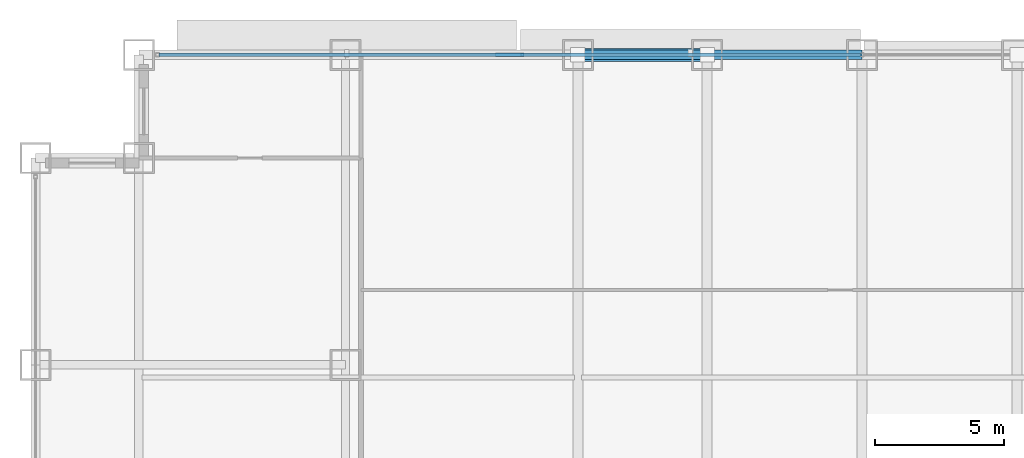
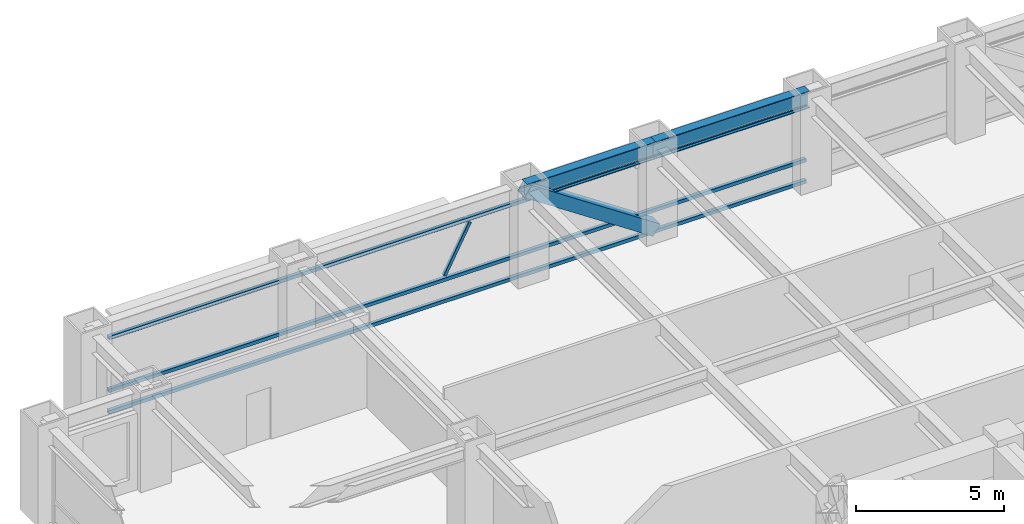
# One storey, part 18 of 32: 5 members, 2 beams, 1 element without a shape of its own.
"""IFC4 building model written with IfcOpenShell, lengths in metres."""

from ifc_helpers import new_model, si_unit, direction, frame, origin, origin_2d, place, context, subcontext, project, spatial, hollow_rectangle, i_section, extrude, source, transform, mapped, material, material_profile, profile_set, type_object, element, aggregate, save


model = new_model("IFC4")

# Units and contexts
model_context = context("Model", 3, precision=1e-05, world=origin(), true_north=direction((0.0, 1.0)))
body_context = subcontext(model_context, "Body", "Model", "MODEL_VIEW")
ifc_project = project(units=[si_unit("LENGTHUNIT", "METRE"), si_unit("AREAUNIT", "SQUARE_METRE"), si_unit("VOLUMEUNIT", "CUBIC_METRE"), si_unit("PLANEANGLEUNIT", "RADIAN"), si_unit("MASSUNIT", "GRAM", prefix="KILO")], contexts=[model_context])

# Site, building, storey
site_placement = place(None, origin())
site = spatial("IfcSite", under=ifc_project, at=site_placement, CompositionType="ELEMENT")
building_placement = place(site_placement, origin())
building = spatial("IfcBuilding", under=site, at=building_placement, Name="Khorayat Bourse Tower", CompositionType="ELEMENT")
storey_placement = place(building_placement, frame((0.0, 0.0, 99.60009765625)))
storey = spatial("IfcBuildingStorey", under=building, at=storey_placement, Name="L22", CompositionType="ELEMENT", Elevation=99.60009765625)

# Beams
ifc_material_1 = material(Name="Steel ASTM A992 Grade 50", Category="steel")
ifc_material_profile_1 = material_profile(ifc_material_1, i_section(OverallWidth=0.35498046875, OverallDepth=0.695068359375, WebThickness=0.015380859375, FlangeThickness=0.02490234375, FilletRadius=0.01806640625, at=origin_2d()), Name="W690X217")
ifc_profile_set_1 = profile_set([ifc_material_profile_1], Name="Steel ASTM A992 Grade 50")
beam_type = type_object("IfcBeamType", Name="BM-SPAN-690", PredefinedType="SPANDREL", material=ifc_profile_set_1)
shared_shape_1 = source(origin(), body_context, "Body", "SweptSolid", [
    extrude(i_section(OverallWidth=0.35498046875, OverallDepth=0.695068359375, WebThickness=0.015380859375, FlangeThickness=0.02490234375, FilletRadius=0.01806640625, at=origin_2d()), origin(), (0.0, 0.0, 1.0), 5.0),
])
beam_1_placement = place(storey_placement, frame((-11.0, 32.0, 3.492431640625), z_axis=(1.0, 0.0, 0.0), x_axis=(0.0, 1.0, 0.0)))
element("IfcBeam", 1, at=beam_1_placement, inside=storey, type_object=beam_type, Name="L22 BM-SPAN-690 BM-L22-SPN-049", PredefinedType="SPANDREL", context=body_context, shape_type="MappedRepresentation", body=[
    mapped(shared_shape_1, transform((0.0, 0.0, 0.0), scale=1.0)),
])
shared_shape_2 = source(origin(), body_context, "Body", "SweptSolid", [
    extrude(i_section(OverallWidth=0.35498046875, OverallDepth=0.695068359375, WebThickness=0.015380859375, FlangeThickness=0.02490234375, FilletRadius=0.01806640625, at=origin_2d()), origin(), (0.0, 0.0, 1.0), 6.0),
])
beam_2_placement = place(storey_placement, frame((-6.0, 32.0, 3.492431640625), z_axis=(1.0, 0.0, 0.0), x_axis=(0.0, 1.0, 0.0)))
element("IfcBeam", 2, at=beam_2_placement, inside=storey, type_object=beam_type, Name="L22 BM-SPAN-690 BM-L22-SPN-048", PredefinedType="SPANDREL", context=body_context, shape_type="MappedRepresentation", body=[
    mapped(shared_shape_2, transform((0.0, 0.0, 0.0), scale=1.0)),
])

# Member
ifc_material_2 = material(Name="Steel EN 10025-4 S460M", Category="steel")
ifc_material_profile_2 = material_profile(ifc_material_2, hollow_rectangle(XDim=0.5, YDim=0.5, WallThickness=0.028076171875, at=origin_2d()), Name="HSS 500x500x28")
ifc_profile_set_2 = profile_set([ifc_material_profile_2], Name="Steel EN 10025-4 S460M")
member_type_1 = type_object("IfcMemberType", Name="MBR-TUBE-500", PredefinedType="BRACE", material=ifc_profile_set_2)
shared_shape_3 = source(origin(), body_context, "Body", "SweptSolid", [
    extrude(hollow_rectangle(XDim=0.5, YDim=0.5, WallThickness=0.028076171875, at=origin_2d()), origin(), (0.0, 0.0, 1.0), 6.012939453125),
])
member_1_placement = place(storey_placement, frame((-11.0, 32.0, 3.58984375), z_axis=(0.831550226979, 0.0, -0.555449565677), x_axis=(0.0, 1.0, 0.0)))
element("IfcMember", 3, at=member_1_placement, inside=storey, type_object=member_type_1, Name="L22 Perimeter Tube Brace 03", PredefinedType="BRACE", context=body_context, shape_type="MappedRepresentation", body=[
    mapped(shared_shape_3, transform((0.0, 0.0, 0.0), scale=1.0)),
])

# Curtain wall, members
ifc_material_3 = material(Name="Aluminium EN AW-6063 T6", Category="aluminium")
curtain_wall_type = type_object("IfcCurtainWallType", Name="CW-SYS-02", PredefinedType="NOTDEFINED", material=ifc_material_3)
curtain_wall_placement = place(storey_placement, origin())
curtain_wall = element("IfcCurtainWall", 4, at=curtain_wall_placement, inside=storey, type_object=curtain_wall_type, Name="L22 Curtain Wall CW-L22-N1", PredefinedType="NOTDEFINED")
ifc_material_profile_3 = material_profile(ifc_material_3, hollow_rectangle(XDim=0.139892578125, YDim=0.139892578125, WallThickness=0.006103515625, at=origin_2d()), Name="ALU 140x140x6")
ifc_profile_set_3 = profile_set([ifc_material_profile_3], Name="Aluminium EN AW-6063 T6")
member_type_2 = type_object("IfcMemberType", Name="CWT-HORZ-140", PredefinedType="USERDEFINED", material=ifc_profile_set_3)
shared_shape_4 = source(origin(), body_context, "Body", "SweptSolid", [
    extrude(hollow_rectangle(XDim=0.139892578125, YDim=0.139892578125, WallThickness=0.006103515625, at=origin_2d()), origin(), (0.0, 0.0, 1.0), 27.139892578125),
])
member_2_placement = place(storey_placement, frame((-27.2099609375, 32.0, 0.06982421875), z_axis=(1.0, 0.0, 0.0), x_axis=(0.0, 1.0, 0.0)))
member_2 = element("IfcMember", 5, at=member_2_placement, type_object=member_type_2, Name="CW-L22-N1 Horizontal Transom 1-1", ObjectType="TRANSOM", PredefinedType="USERDEFINED", context=body_context, shape_type="MappedRepresentation", body=[
    mapped(shared_shape_4, transform((0.0, 0.0, 0.0), scale=1.0)),
])
member_3_placement = place(storey_placement, frame((-27.2099609375, 32.0, 0.949951171875), z_axis=(1.0, 0.0, 0.0), x_axis=(0.0, 1.0, 0.0)))
member_3 = element("IfcMember", 6, at=member_3_placement, type_object=member_type_2, Name="CW-L22-N1 Horizontal Transom 1-2", ObjectType="TRANSOM", PredefinedType="USERDEFINED", context=body_context, shape_type="MappedRepresentation", body=[
    mapped(shared_shape_4, transform((0.0, 0.0, 0.0), scale=1.0)),
])
member_4_placement = place(storey_placement, frame((-27.2099609375, 32.0, 3.119873046875), z_axis=(1.0, 0.0, 0.0), x_axis=(0.0, 1.0, 0.0)))
member_4 = element("IfcMember", 7, at=member_4_placement, type_object=member_type_2, Name="CW-L22-N1 Horizontal Transom 1-3", ObjectType="TRANSOM", PredefinedType="USERDEFINED", context=body_context, shape_type="MappedRepresentation", body=[
    mapped(shared_shape_4, transform((0.0, 0.0, 0.0), scale=1.0)),
])
ifc_material_profile_4 = material_profile(ifc_material_3, hollow_rectangle(XDim=0.1201171875, YDim=0.1201171875, WallThickness=0.0048828125, at=origin_2d()), Name="ALU 120x120x5")
ifc_profile_set_4 = profile_set([ifc_material_profile_4], Name="Aluminium EN AW-6063 T6")
member_type_3 = type_object("IfcMemberType", Name="CWM-DIAG-120", PredefinedType="MULLION", material=ifc_profile_set_4)
shared_shape_5 = source(origin(), body_context, "Body", "SweptSolid", [
    extrude(hollow_rectangle(XDim=0.1201171875, YDim=0.1201171875, WallThickness=0.0048828125, at=origin_2d()), origin(), (0.0, 0.0, 1.0), 2.11328125),
])
member_5_placement = place(storey_placement, frame((-14.132080078125, 32.0, 1.099853515625), z_axis=(0.465694055905, 0.0, 0.884945787207), x_axis=(0.0, 1.0, 0.0)))
member_5 = element("IfcMember", 8, at=member_5_placement, type_object=member_type_3, Name="CW-L22-N1 Faceted Diagonal Mullion 1", PredefinedType="MULLION", context=body_context, shape_type="MappedRepresentation", body=[
    mapped(shared_shape_5, transform((0.0, 0.0, 0.0), scale=1.0)),
])
aggregate(curtain_wall, [member_2, member_3, member_4, member_5])

save(model, "model.ifc")
